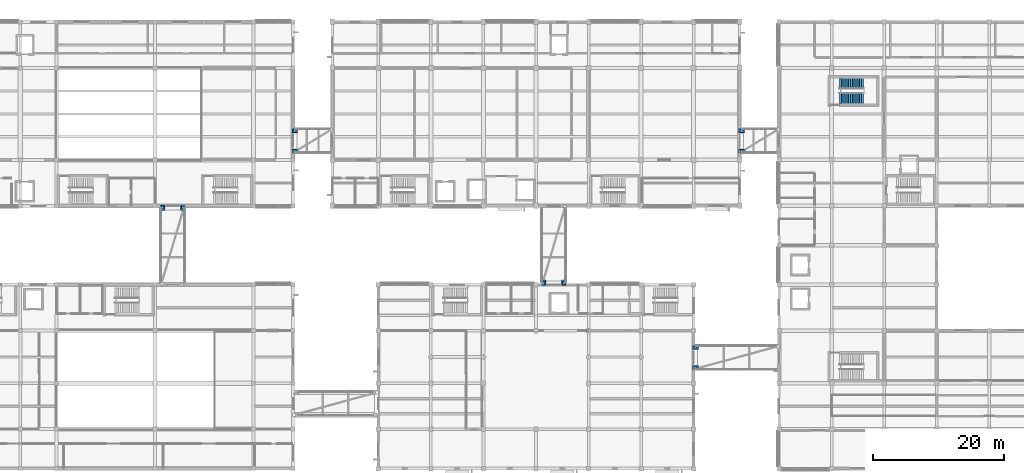
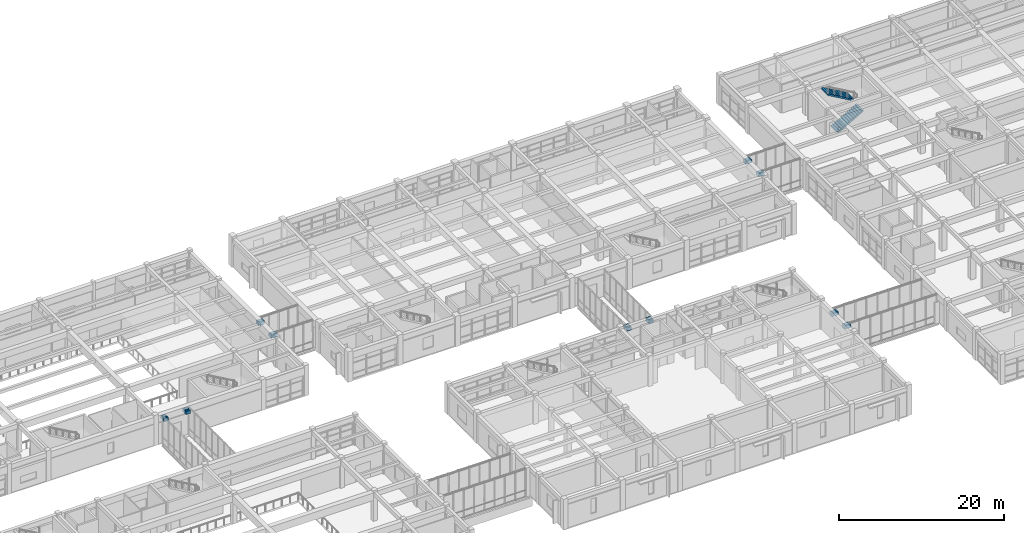
# One storey, part 59 of 72: 20 discrete accessories, 2 stair flights, 1 element without a shape of its own.
"""IFC4 building model written with IfcOpenShell, lengths in metres."""

import ifcopenshell
import ifcopenshell.guid

model = None  # the IFC model being written
_history = None  # IfcOwnerHistory: only IFC2X3 demands one
_inside = {}  # id of a spatial element -> (the spatial element, [elements in it])
_under = {}  # id of a project, library or spatial element -> (it, [spatial elements below it])
_declared = {}  # id of a project -> (the project, [libraries it declares])
_typed = {}  # id of a type object -> (the type object, [elements of that type])
_made_of = {}  # id of a material, layer set ... -> (it, [elements and type objects made of it])


def new_model(schema):
    """Start an empty IFC model of exactly this schema.

    Asked for "IFC4X3", IfcOpenShell would pick the latest addendum, in which some entities
    have other attributes; the version numbers below select the first issue.
    IFC2X3 requires an IfcOwnerHistory on every rooted entity: one is made here for all.
    """
    global model, _history
    if schema == "IFC4X3":
        model = ifcopenshell.file(schema_version=(4, 3, 0, 0))
    else:
        model = ifcopenshell.file(schema=schema)
    _inside.clear()
    _under.clear()
    _declared.clear()
    _typed.clear()
    _made_of.clear()
    _history = None
    if model.schema == "IFC2X3":
        org = make("IfcOrganization", Name="unknown")
        user = make(
            "IfcPersonAndOrganization",
            ThePerson=make("IfcPerson", FamilyName="unknown"),
            TheOrganization=org,
        )
        app = make(
            "IfcApplication",
            ApplicationDeveloper=org,
            Version="unknown",
            ApplicationFullName="unknown",
            ApplicationIdentifier="unknown",
        )
        _history = make(
            "IfcOwnerHistory",
            OwningUser=user,
            OwningApplication=app,
            ChangeAction="ADDED",
            CreationDate=0,
        )
    return model


def make(cls, **values):
    """One entity of the class cls with the attributes given. An attribute that is None is left unset."""
    return model.create_entity(
        cls, **{name: value for name, value in values.items() if value is not None}
    )


def rooted(cls, **values):
    """An entity with a GlobalId (a new one), such as an element, a storey or a relation."""
    return make(cls, GlobalId=ifcopenshell.guid.new(), OwnerHistory=_history, **values)


def si_unit(unit_type, name, prefix=None):
    """IfcSIUnit, for example si_unit("LENGTHUNIT", "METRE", prefix="MILLI")."""
    return make("IfcSIUnit", UnitType=unit_type, Prefix=prefix, Name=name)


def assignment(units):
    """IfcUnitAssignment: the units of a project."""
    return None if units is None else make("IfcUnitAssignment", Units=units)


def point(xyz):
    """IfcCartesianPoint."""
    return None if xyz is None else make("IfcCartesianPoint", Coordinates=xyz)


def direction(xyz):
    """IfcDirection."""
    return None if xyz is None else make("IfcDirection", DirectionRatios=xyz)


def frame(location, z_axis=None, x_axis=None):
    """IfcAxis2Placement3D, a coordinate frame: its origin and axes. An axis left out is left unset."""
    return make(
        "IfcAxis2Placement3D",
        Location=point(location),
        Axis=direction(z_axis),
        RefDirection=direction(x_axis),
    )


def frame_2d(location, x_axis=None):
    """IfcAxis2Placement2D, a coordinate frame in the plane: its origin and x axis."""
    return make(
        "IfcAxis2Placement2D", Location=point(location), RefDirection=direction(x_axis)
    )


def origin():
    """The frame at (0, 0, 0) with its axes left unset."""
    return frame((0.0, 0.0, 0.0))


def origin_2d():
    """The frame at (0, 0) in the plane with its x axis left unset."""
    return frame_2d((0.0, 0.0))


def place(relative_to, where):
    """IfcLocalPlacement: puts the frame where relative to a parent placement (None: the world)."""
    return make(
        "IfcLocalPlacement", PlacementRelTo=relative_to, RelativePlacement=where
    )


def context(
    kind, dimensions, precision=None, world=None, true_north=None, identifier=None
):
    """IfcGeometricRepresentationContext, for example the 3D "Model" context."""
    return make(
        "IfcGeometricRepresentationContext",
        ContextIdentifier=identifier,
        ContextType=kind,
        CoordinateSpaceDimension=dimensions,
        Precision=precision,
        WorldCoordinateSystem=world,
        TrueNorth=true_north,
    )


def subcontext(parent, identifier, kind, view, scale=None):
    """IfcGeometricRepresentationSubContext, for example "Body" below "Model"."""
    return make(
        "IfcGeometricRepresentationSubContext",
        ContextIdentifier=identifier,
        ContextType=kind,
        ParentContext=parent,
        TargetScale=scale,
        TargetView=view,
    )


def project(units=None, contexts=None):
    """IfcProject with its units and contexts."""
    return rooted(
        "IfcProject",
        Name="project",
        RepresentationContexts=contexts,
        UnitsInContext=assignment(units),
    )


def spatial(cls, under=None, at=None, **own):
    """A site, building, storey or space (cls), placed at a placement, below another one or the project."""
    s = rooted(cls, ObjectPlacement=at, **own)
    if under is not None:
        _under.setdefault(under.id(), (under, []))[1].append(s)
    return s


def polyline(points):
    """IfcPolyline through the points."""
    return make("IfcPolyline", Points=[point(p) for p in points])


def profile(cls, at=None, kind="AREA", **sizes):
    """A parametric profile (cls). Its sizes go by their IFC names, for example OverallWidth=200.0."""
    return make(cls, ProfileType=kind, Position=at, **sizes)


def rectangle(**sizes):
    """IfcRectangleProfileDef."""
    return profile("IfcRectangleProfileDef", **sizes)


def outline(outer, holes=None, kind="AREA"):
    """IfcArbitraryClosedProfileDef: a profile drawn as a closed curve; with holes, ...WithVoids."""
    if holes is None:
        return make("IfcArbitraryClosedProfileDef", ProfileType=kind, OuterCurve=outer)
    return make(
        "IfcArbitraryProfileDefWithVoids",
        ProfileType=kind,
        OuterCurve=outer,
        InnerCurves=holes,
    )


def extrude(swept, where, along, depth):
    """IfcExtrudedAreaSolid: the profile swept, set in the frame where, extruded along a direction by depth."""
    return make(
        "IfcExtrudedAreaSolid",
        SweptArea=swept,
        Position=where,
        ExtrudedDirection=direction(along),
        Depth=depth,
    )


def shape(context_of_items, identifier, shape_type, items):
    """IfcShapeRepresentation: the items that make up one representation, for example the "Body"."""
    return make(
        "IfcShapeRepresentation",
        ContextOfItems=context_of_items,
        RepresentationIdentifier=identifier,
        RepresentationType=shape_type,
        Items=items,
    )


def material(Name=None, Category=None):
    """IfcMaterial."""
    return make("IfcMaterial", Name=Name, Category=Category)


def made_of(thing, what):
    """Note that an element or type object is made of a material, layer set ...; save() writes the relation."""
    if what is not None:
        _made_of.setdefault(what.id(), (what, []))[1].append(thing)
    return thing


def type_object(cls, material=None, **own):
    """A type object (cls), such as IfcWallType, which elements share."""
    return made_of(rooted(cls, **own), material)


def element(
    cls,
    number,
    at=None,
    inside=None,
    cuts=None,
    type_object=None,
    material=None,
    context=None,
    identifier="Body",
    shape_type=None,
    held_by="IfcProductDefinitionShape",
    body=None,
    shapes=None,
    **own,
):
    """One element of the class cls, such as IfcWall. Its Tag is "e" and its number.

    at: its placement. inside: the storey or other place that contains it. cuts: it is an
    opening in that element (IfcRelVoidsElement). A single representation is given by context,
    identifier, shape_type and body (its items); several are given by shapes. held_by: the class
    of the entity that holds the representations. save() writes the other relations.
    """
    e = rooted(cls, Tag="e%d" % number, ObjectPlacement=at, **own)
    if body is not None:
        shapes = [shape(context, identifier, shape_type, body)]
    if shapes is not None:
        e.Representation = make(held_by, Representations=shapes)
    if inside is not None:
        _inside.setdefault(inside.id(), (inside, []))[1].append(e)
    if cuts is not None:
        rooted(
            "IfcRelVoidsElement", RelatingBuildingElement=cuts, RelatedOpeningElement=e
        )
    if type_object is not None:
        _typed.setdefault(type_object.id(), (type_object, []))[1].append(e)
    return made_of(e, material)


def aggregate(whole, parts):
    """IfcRelAggregates: a whole, such as a stair, and the parts it consists of."""
    return rooted("IfcRelAggregates", RelatingObject=whole, RelatedObjects=parts)


def save(model, path):
    """Write the relations noted so far, then the file.

    IfcRelAggregates (storeys below a building ...), IfcRelContainedInSpatialStructure (elements
    in a storey), IfcRelDefinesByType, IfcRelAssociatesMaterial and IfcRelDeclares: one each for
    every whole, place, type object, material and project.
    """
    for whole, parts in _under.values():
        aggregate(whole, parts)
    for where, things in _inside.values():
        rooted(
            "IfcRelContainedInSpatialStructure",
            RelatedElements=things,
            RelatingStructure=where,
        )
    for kind, things in _typed.values():
        rooted("IfcRelDefinesByType", RelatedObjects=things, RelatingType=kind)
    for what, things in _made_of.values():
        rooted("IfcRelAssociatesMaterial", RelatedObjects=things, RelatingMaterial=what)
    for by, libraries in _declared.values():
        rooted("IfcRelDeclares", RelatingContext=by, RelatedDefinitions=libraries)
    model.write(path)


model = new_model("IFC4")

# Units and contexts
model_context = context("Model", 3, precision=1e-05, world=origin(), true_north=direction((0.0, 1.0)))
body_context = subcontext(model_context, "Body", "Model", "MODEL_VIEW")
ifc_project = project(units=[si_unit("LENGTHUNIT", "METRE"), si_unit("AREAUNIT", "SQUARE_METRE"), si_unit("VOLUMEUNIT", "CUBIC_METRE"), si_unit("PLANEANGLEUNIT", "RADIAN"), si_unit("MASSUNIT", "GRAM", prefix="KILO")], contexts=[model_context])

# Site, building, storey
site_placement = place(None, origin())
site = spatial("IfcSite", under=ifc_project, at=site_placement, CompositionType="ELEMENT")
building_placement = place(site_placement, origin())
building = spatial("IfcBuilding", under=site, at=building_placement, Name="Naurynzar Civic Courthouse", CompositionType="ELEMENT")
storey_placement = place(building_placement, frame((0.0, 0.0, 9.89990234375)))
storey = spatial("IfcBuildingStorey", under=building, at=storey_placement, Name="L03", CompositionType="ELEMENT", Elevation=9.89990234375)

# Stair, stair flights
ifc_material_1 = material(Name="Concrete C35/45", Category="concrete")
stair_type = type_object("IfcStairType", Name="STAIR-CORE-1600", PredefinedType="TWO_STRAIGHT_RUN_STAIR", material=ifc_material_1)
stair_placement = place(storey_placement, origin())
stair = element("IfcStair", 1, at=stair_placement, inside=storey, type_object=stair_type, Name="Enclosed escape stair ST-V5B L03", PredefinedType="TWO_STRAIGHT_RUN_STAIR")
ifc_material_2 = material(Name="Concrete C35/45", Category="concrete")
stair_flight_type = type_object("IfcStairFlightType", Name="FLIGHT-RC-1600", PredefinedType="STRAIGHT", material=ifc_material_2)
stair_flight_1_placement = place(storey_placement, frame((139.199951171875, 60.3798828125, 0.0), z_axis=(0.0, 0.0, 1.0), x_axis=(1.0, 0.0, 0.0)))
stair_flight_1 = element("IfcStairFlight", 2, at=stair_flight_1_placement, type_object=stair_flight_type, Name="ST-V5B-L03 flight 1", NumberOfRisers=14, NumberOfTreads=13, PredefinedType="STRAIGHT", RiserHeight=0.160714286, TreadLength=0.28, context=body_context, shape_type="SweptSolid", body=[
    extrude(outline(polyline([(0.0, 0.0), (0.0, 0.16064453125), (0.280029296875, 0.16064453125), (0.280029296875, 0.321533203125), (0.56005859375, 0.321533203125), (0.56005859375, 0.482177734375), (0.840087890625, 0.482177734375), (0.840087890625, 0.642822265625), (1.1201171875, 0.642822265625), (1.1201171875, 0.803466796875), (1.39990234375, 0.803466796875), (1.39990234375, 0.96435546875), (1.679931640625, 0.96435546875), (1.679931640625, 1.125), (1.9599609375, 1.125), (1.9599609375, 1.28564453125), (2.239990234375, 1.28564453125), (2.239990234375, 1.446533203125), (2.52001953125, 1.446533203125), (2.52001953125, 1.607177734375), (2.800048828125, 1.607177734375), (2.800048828125, 1.767822265625), (3.080078125, 1.767822265625), (3.080078125, 1.928466796875), (3.360107421875, 1.928466796875), (3.360107421875, 2.08935546875), (3.639892578125, 2.08935546875), (3.639892578125, 2.25), (3.639892578125, 1.8818359375), (0.361328125, 0.0), (0.0, 0.0)])), frame((0.0, 0.800048828125, 0.0), z_axis=(0.0, -1.0, 0.0), x_axis=(1.0, 0.0, 0.0)), (0.0, 0.0, 1.0), 1.60009765625),
])
stair_flight_2_placement = place(storey_placement, frame((142.840087890625, 62.6201171875, 2.25), z_axis=(0.0, 0.0, 1.0), x_axis=(-1.0, 0.0, 0.0)))
stair_flight_2 = element("IfcStairFlight", 3, at=stair_flight_2_placement, type_object=stair_flight_type, Name="ST-V5B-L03 flight 2", NumberOfRisers=14, NumberOfTreads=13, PredefinedType="STRAIGHT", RiserHeight=0.160714286, TreadLength=0.28, context=body_context, shape_type="SweptSolid", body=[
    extrude(outline(polyline([(0.0, 0.0), (0.0, 0.16064453125), (0.280029296875, 0.16064453125), (0.280029296875, 0.321533203125), (0.56005859375, 0.321533203125), (0.56005859375, 0.482177734375), (0.840087890625, 0.482177734375), (0.840087890625, 0.642822265625), (1.1201171875, 0.642822265625), (1.1201171875, 0.803466796875), (1.39990234375, 0.803466796875), (1.39990234375, 0.96435546875), (1.679931640625, 0.96435546875), (1.679931640625, 1.125), (1.9599609375, 1.125), (1.9599609375, 1.28564453125), (2.239990234375, 1.28564453125), (2.239990234375, 1.446533203125), (2.52001953125, 1.446533203125), (2.52001953125, 1.607177734375), (2.800048828125, 1.607177734375), (2.800048828125, 1.767822265625), (3.080078125, 1.767822265625), (3.080078125, 1.928466796875), (3.360107421875, 1.928466796875), (3.360107421875, 2.08935546875), (3.639892578125, 2.08935546875), (3.639892578125, 2.25), (3.639892578125, 1.8818359375), (0.361328125, 0.0), (0.0, 0.0)])), frame((0.0, 0.800048828125, 0.0), z_axis=(0.0, -1.0, 0.0), x_axis=(1.0, 0.0, 0.0)), (0.0, 0.0, 1.0), 1.60009765625),
])
aggregate(stair, [stair_flight_1, stair_flight_2])

# Discrete accessories
ifc_material_3 = material(Name="Steel S355", Category="steel")
discrete_accessory_type_1 = type_object("IfcDiscreteAccessoryType", Name="BRG-PTFE-450", PredefinedType="SHOE", material=ifc_material_3)
for number, where, z_axis, x_axis, name in (
    (4, (36.169921875, 43.75, 3.85009765625), (0.0, 0.0, 1.0), (1.0, 0.0, 0.0), "BR-W1 unguided PTFE sliding bearing L04.1"),
    (5, (39.22998046875, 43.75, 3.85009765625), (0.0, 0.0, 1.0), (1.0, 0.0, 0.0), "BR-W1 unguided PTFE sliding bearing L04.2"),
    (6, (56.25, 52.3701171875, 3.85009765625), (0.0, 0.0, 1.0), (1.0, 0.0, 0.0), "BR-N1 unguided PTFE sliding bearing L04.1"),
    (7, (56.25, 55.429931640625, 3.85009765625), (0.0, 0.0, 1.0), (1.0, 0.0, 0.0), "BR-N1 unguided PTFE sliding bearing L04.2"),
    (8, (94.169921875, 32.25, 3.85009765625), (0.0, 0.0, 1.0), (1.0, 0.0, 0.0), "BR-C1 unguided PTFE sliding bearing L04.1"),
    (9, (97.22998046875, 32.25, 3.85009765625), (0.0, 0.0, 1.0), (1.0, 0.0, 0.0), "BR-C1 unguided PTFE sliding bearing L04.2"),
    (10, (124.25, 52.3701171875, 3.85009765625), (0.0, 0.0, 1.0), (1.0, 0.0, 0.0), "BR-E1 unguided PTFE sliding bearing L04.1"),
    (11, (124.25, 55.429931640625, 3.85009765625), (0.0, 0.0, 1.0), (1.0, 0.0, 0.0), "BR-E1 unguided PTFE sliding bearing L04.2"),
    (12, (117.25, 19.3701171875, 3.85009765625), (0.0, 0.0, 1.0), (1.0, 0.0, 0.0), "BR-E2 unguided PTFE sliding bearing L04.1"),
    (13, (117.25, 22.429931640625, 3.85009765625), (0.0, 0.0, 1.0), (1.0, 0.0, 0.0), "BR-E2 unguided PTFE sliding bearing L04.2"),
):
    element("IfcDiscreteAccessory", number, at=place(storey_placement, frame(where, z_axis=z_axis, x_axis=x_axis)), inside=storey, type_object=discrete_accessory_type_1, Name=name, PredefinedType="SHOE", context=body_context, shape_type="SweptSolid", body=[
        extrude(rectangle(XDim=0.449951171875, YDim=0.449951171875, at=origin_2d()), origin(), (0.0, 0.0, 1.0), 0.080078125),
    ])
ifc_material_4 = material(Name="Concrete C40/50", Category="concrete")
discrete_accessory_type_2 = type_object("IfcDiscreteAccessoryType", Name="CORB-RC-850", PredefinedType="BRACKET", material=ifc_material_4)
for number, where, z_axis, x_axis, name in (
    (14, (36.169921875, 43.72509765625, 3.39990234375), (0.0, 0.0, 1.0), (1.0, 0.0, 0.0), "BR-W1 850mm RC seismic bridge corbel seat L04.1"),
    (15, (39.22998046875, 43.72509765625, 3.39990234375), (0.0, 0.0, 1.0), (1.0, 0.0, 0.0), "BR-W1 850mm RC seismic bridge corbel seat L04.2"),
):
    element("IfcDiscreteAccessory", number, at=place(storey_placement, frame(where, z_axis=z_axis, x_axis=x_axis)), inside=storey, type_object=discrete_accessory_type_2, Name=name, PredefinedType="BRACKET", context=body_context, shape_type="SweptSolid", body=[
        extrude(rectangle(XDim=0.64990234375, YDim=0.85009765625, at=origin_2d()), origin(), (0.0, 0.0, 1.0), 0.449951171875),
    ])
for number, where, z_axis, x_axis, name in (
    (16, (56.27490234375, 52.3701171875, 3.39990234375), (0.0, 0.0, 1.0), (1.0, 0.0, 0.0), "BR-N1 850mm RC seismic bridge corbel seat L04.1"),
    (17, (56.27490234375, 55.429931640625, 3.39990234375), (0.0, 0.0, 1.0), (1.0, 0.0, 0.0), "BR-N1 850mm RC seismic bridge corbel seat L04.2"),
):
    element("IfcDiscreteAccessory", number, at=place(storey_placement, frame(where, z_axis=z_axis, x_axis=x_axis)), inside=storey, type_object=discrete_accessory_type_2, Name=name, PredefinedType="BRACKET", context=body_context, shape_type="SweptSolid", body=[
        extrude(rectangle(XDim=0.85009765625, YDim=0.64990234375, at=origin_2d()), origin(), (0.0, 0.0, 1.0), 0.449951171875),
    ])
for number, where, z_axis, x_axis, name in (
    (18, (94.169921875, 32.27490234375, 3.39990234375), (0.0, 0.0, 1.0), (1.0, 0.0, 0.0), "BR-C1 850mm RC seismic bridge corbel seat L04.1"),
    (19, (97.22998046875, 32.27490234375, 3.39990234375), (0.0, 0.0, 1.0), (1.0, 0.0, 0.0), "BR-C1 850mm RC seismic bridge corbel seat L04.2"),
):
    element("IfcDiscreteAccessory", number, at=place(storey_placement, frame(where, z_axis=z_axis, x_axis=x_axis)), inside=storey, type_object=discrete_accessory_type_2, Name=name, PredefinedType="BRACKET", context=body_context, shape_type="SweptSolid", body=[
        extrude(rectangle(XDim=0.64990234375, YDim=0.85009765625, at=origin_2d()), origin(), (0.0, 0.0, 1.0), 0.449951171875),
    ])
for number, where, z_axis, x_axis, name in (
    (20, (124.27490234375, 52.3701171875, 3.39990234375), (0.0, 0.0, 1.0), (1.0, 0.0, 0.0), "BR-E1 850mm RC seismic bridge corbel seat L04.1"),
    (21, (124.27490234375, 55.429931640625, 3.39990234375), (0.0, 0.0, 1.0), (1.0, 0.0, 0.0), "BR-E1 850mm RC seismic bridge corbel seat L04.2"),
    (22, (117.27490234375, 19.3701171875, 3.39990234375), (0.0, 0.0, 1.0), (1.0, 0.0, 0.0), "BR-E2 850mm RC seismic bridge corbel seat L04.1"),
    (23, (117.27490234375, 22.429931640625, 3.39990234375), (0.0, 0.0, 1.0), (1.0, 0.0, 0.0), "BR-E2 850mm RC seismic bridge corbel seat L04.2"),
):
    element("IfcDiscreteAccessory", number, at=place(storey_placement, frame(where, z_axis=z_axis, x_axis=x_axis)), inside=storey, type_object=discrete_accessory_type_2, Name=name, PredefinedType="BRACKET", context=body_context, shape_type="SweptSolid", body=[
        extrude(rectangle(XDim=0.85009765625, YDim=0.64990234375, at=origin_2d()), origin(), (0.0, 0.0, 1.0), 0.449951171875),
    ])

save(model, "model.ifc")
